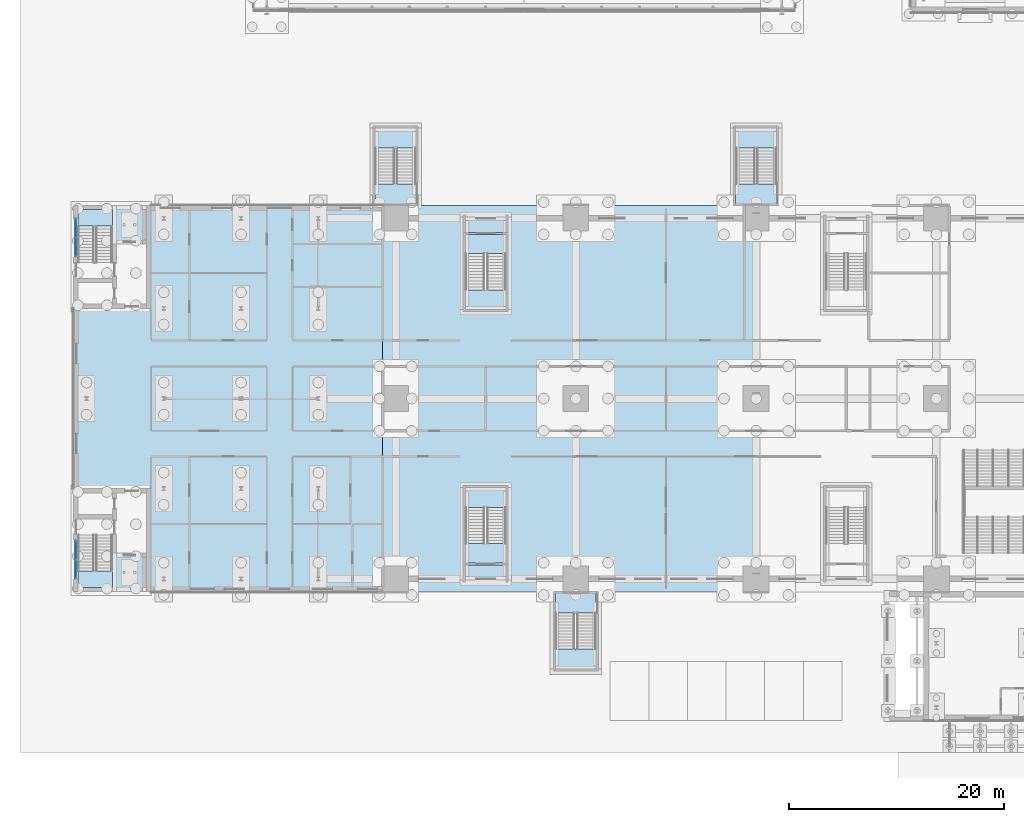
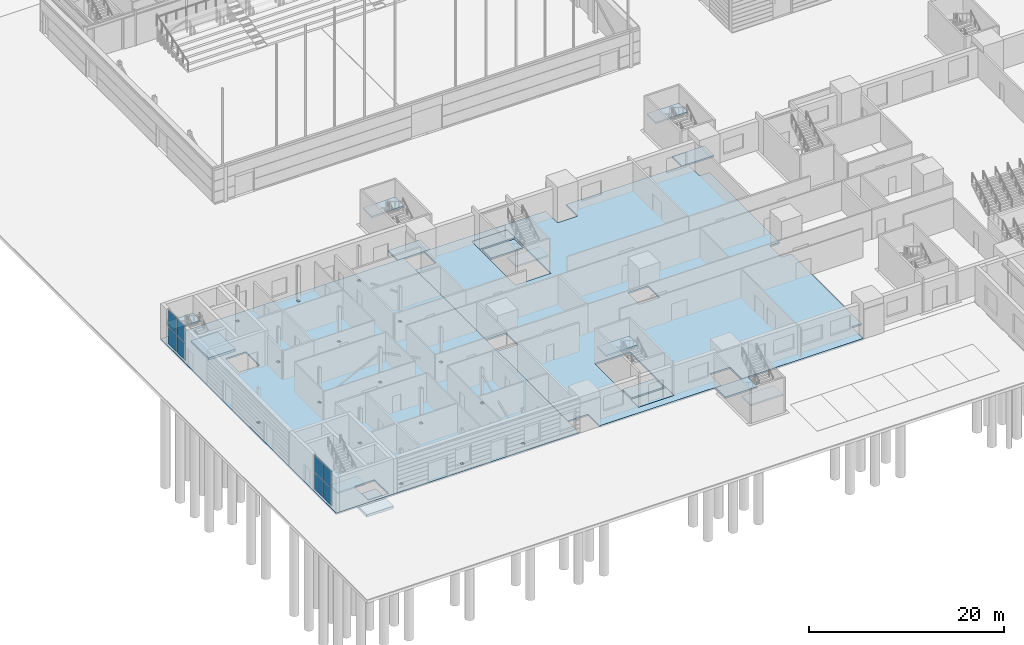
# One storey, part 72 of 139: 18 slabs, 8 plates, 9 elements without a shape of their own.
"""IFC4 building model written with IfcOpenShell, lengths in metres."""

import ifcopenshell
import ifcopenshell.guid

model = None  # the IFC model being written
_history = None  # IfcOwnerHistory: only IFC2X3 demands one
_inside = {}  # id of a spatial element -> (the spatial element, [elements in it])
_under = {}  # id of a project, library or spatial element -> (it, [spatial elements below it])
_declared = {}  # id of a project -> (the project, [libraries it declares])
_typed = {}  # id of a type object -> (the type object, [elements of that type])
_made_of = {}  # id of a material, layer set ... -> (it, [elements and type objects made of it])


def new_model(schema):
    """Start an empty IFC model of exactly this schema.

    Asked for "IFC4X3", IfcOpenShell would pick the latest addendum, in which some entities
    have other attributes; the version numbers below select the first issue.
    IFC2X3 requires an IfcOwnerHistory on every rooted entity: one is made here for all.
    """
    global model, _history
    if schema == "IFC4X3":
        model = ifcopenshell.file(schema_version=(4, 3, 0, 0))
    else:
        model = ifcopenshell.file(schema=schema)
    _inside.clear()
    _under.clear()
    _declared.clear()
    _typed.clear()
    _made_of.clear()
    _history = None
    if model.schema == "IFC2X3":
        org = make("IfcOrganization", Name="unknown")
        user = make(
            "IfcPersonAndOrganization",
            ThePerson=make("IfcPerson", FamilyName="unknown"),
            TheOrganization=org,
        )
        app = make(
            "IfcApplication",
            ApplicationDeveloper=org,
            Version="unknown",
            ApplicationFullName="unknown",
            ApplicationIdentifier="unknown",
        )
        _history = make(
            "IfcOwnerHistory",
            OwningUser=user,
            OwningApplication=app,
            ChangeAction="ADDED",
            CreationDate=0,
        )
    return model


def make(cls, **values):
    """One entity of the class cls with the attributes given. An attribute that is None is left unset."""
    return model.create_entity(
        cls, **{name: value for name, value in values.items() if value is not None}
    )


def rooted(cls, **values):
    """An entity with a GlobalId (a new one), such as an element, a storey or a relation."""
    return make(cls, GlobalId=ifcopenshell.guid.new(), OwnerHistory=_history, **values)


def si_unit(unit_type, name, prefix=None):
    """IfcSIUnit, for example si_unit("LENGTHUNIT", "METRE", prefix="MILLI")."""
    return make("IfcSIUnit", UnitType=unit_type, Prefix=prefix, Name=name)


def assignment(units):
    """IfcUnitAssignment: the units of a project."""
    return None if units is None else make("IfcUnitAssignment", Units=units)


def point(xyz):
    """IfcCartesianPoint."""
    return None if xyz is None else make("IfcCartesianPoint", Coordinates=xyz)


def direction(xyz):
    """IfcDirection."""
    return None if xyz is None else make("IfcDirection", DirectionRatios=xyz)


def frame(location, z_axis=None, x_axis=None):
    """IfcAxis2Placement3D, a coordinate frame: its origin and axes. An axis left out is left unset."""
    return make(
        "IfcAxis2Placement3D",
        Location=point(location),
        Axis=direction(z_axis),
        RefDirection=direction(x_axis),
    )


def frame_2d(location, x_axis=None):
    """IfcAxis2Placement2D, a coordinate frame in the plane: its origin and x axis."""
    return make(
        "IfcAxis2Placement2D", Location=point(location), RefDirection=direction(x_axis)
    )


def origin():
    """The frame at (0, 0, 0) with its axes left unset."""
    return frame((0.0, 0.0, 0.0))


def origin_2d():
    """The frame at (0, 0) in the plane with its x axis left unset."""
    return frame_2d((0.0, 0.0))


def place(relative_to, where):
    """IfcLocalPlacement: puts the frame where relative to a parent placement (None: the world)."""
    return make(
        "IfcLocalPlacement", PlacementRelTo=relative_to, RelativePlacement=where
    )


def context(
    kind, dimensions, precision=None, world=None, true_north=None, identifier=None
):
    """IfcGeometricRepresentationContext, for example the 3D "Model" context."""
    return make(
        "IfcGeometricRepresentationContext",
        ContextIdentifier=identifier,
        ContextType=kind,
        CoordinateSpaceDimension=dimensions,
        Precision=precision,
        WorldCoordinateSystem=world,
        TrueNorth=true_north,
    )


def subcontext(parent, identifier, kind, view, scale=None):
    """IfcGeometricRepresentationSubContext, for example "Body" below "Model"."""
    return make(
        "IfcGeometricRepresentationSubContext",
        ContextIdentifier=identifier,
        ContextType=kind,
        ParentContext=parent,
        TargetScale=scale,
        TargetView=view,
    )


def project(units=None, contexts=None):
    """IfcProject with its units and contexts."""
    return rooted(
        "IfcProject",
        Name="project",
        RepresentationContexts=contexts,
        UnitsInContext=assignment(units),
    )


def spatial(cls, under=None, at=None, **own):
    """A site, building, storey or space (cls), placed at a placement, below another one or the project."""
    s = rooted(cls, ObjectPlacement=at, **own)
    if under is not None:
        _under.setdefault(under.id(), (under, []))[1].append(s)
    return s


def polyline(points):
    """IfcPolyline through the points."""
    return make("IfcPolyline", Points=[point(p) for p in points])


def profile(cls, at=None, kind="AREA", **sizes):
    """A parametric profile (cls). Its sizes go by their IFC names, for example OverallWidth=200.0."""
    return make(cls, ProfileType=kind, Position=at, **sizes)


def rectangle(**sizes):
    """IfcRectangleProfileDef."""
    return profile("IfcRectangleProfileDef", **sizes)


def outline(outer, holes=None, kind="AREA"):
    """IfcArbitraryClosedProfileDef: a profile drawn as a closed curve; with holes, ...WithVoids."""
    if holes is None:
        return make("IfcArbitraryClosedProfileDef", ProfileType=kind, OuterCurve=outer)
    return make(
        "IfcArbitraryProfileDefWithVoids",
        ProfileType=kind,
        OuterCurve=outer,
        InnerCurves=holes,
    )


def extrude(swept, where, along, depth):
    """IfcExtrudedAreaSolid: the profile swept, set in the frame where, extruded along a direction by depth."""
    return make(
        "IfcExtrudedAreaSolid",
        SweptArea=swept,
        Position=where,
        ExtrudedDirection=direction(along),
        Depth=depth,
    )


def shape(context_of_items, identifier, shape_type, items):
    """IfcShapeRepresentation: the items that make up one representation, for example the "Body"."""
    return make(
        "IfcShapeRepresentation",
        ContextOfItems=context_of_items,
        RepresentationIdentifier=identifier,
        RepresentationType=shape_type,
        Items=items,
    )


def material(Name=None, Category=None):
    """IfcMaterial."""
    return make("IfcMaterial", Name=Name, Category=Category)


def layer(
    of_material, thickness, ventilated=None, Name=None, Category=None, Priority=None
):
    """IfcMaterialLayer: one layer of a wall or slab, of a material (None: an air gap)."""
    return make(
        "IfcMaterialLayer",
        Material=of_material,
        LayerThickness=thickness,
        IsVentilated=ventilated,
        Name=Name,
        Category=Category,
        Priority=Priority,
    )


def layer_set(layers, Name=None):
    """IfcMaterialLayerSet."""
    return make("IfcMaterialLayerSet", MaterialLayers=layers, LayerSetName=Name)


def made_of(thing, what):
    """Note that an element or type object is made of a material, layer set ...; save() writes the relation."""
    if what is not None:
        _made_of.setdefault(what.id(), (what, []))[1].append(thing)
    return thing


def type_object(cls, material=None, **own):
    """A type object (cls), such as IfcWallType, which elements share."""
    return made_of(rooted(cls, **own), material)


def element(
    cls,
    number,
    at=None,
    inside=None,
    cuts=None,
    type_object=None,
    material=None,
    context=None,
    identifier="Body",
    shape_type=None,
    held_by="IfcProductDefinitionShape",
    body=None,
    shapes=None,
    **own,
):
    """One element of the class cls, such as IfcWall. Its Tag is "e" and its number.

    at: its placement. inside: the storey or other place that contains it. cuts: it is an
    opening in that element (IfcRelVoidsElement). A single representation is given by context,
    identifier, shape_type and body (its items); several are given by shapes. held_by: the class
    of the entity that holds the representations. save() writes the other relations.
    """
    e = rooted(cls, Tag="e%d" % number, ObjectPlacement=at, **own)
    if body is not None:
        shapes = [shape(context, identifier, shape_type, body)]
    if shapes is not None:
        e.Representation = make(held_by, Representations=shapes)
    if inside is not None:
        _inside.setdefault(inside.id(), (inside, []))[1].append(e)
    if cuts is not None:
        rooted(
            "IfcRelVoidsElement", RelatingBuildingElement=cuts, RelatedOpeningElement=e
        )
    if type_object is not None:
        _typed.setdefault(type_object.id(), (type_object, []))[1].append(e)
    return made_of(e, material)


def aggregate(whole, parts):
    """IfcRelAggregates: a whole, such as a stair, and the parts it consists of."""
    return rooted("IfcRelAggregates", RelatingObject=whole, RelatedObjects=parts)


def save(model, path):
    """Write the relations noted so far, then the file.

    IfcRelAggregates (storeys below a building ...), IfcRelContainedInSpatialStructure (elements
    in a storey), IfcRelDefinesByType, IfcRelAssociatesMaterial and IfcRelDeclares: one each for
    every whole, place, type object, material and project.
    """
    for whole, parts in _under.values():
        aggregate(whole, parts)
    for where, things in _inside.values():
        rooted(
            "IfcRelContainedInSpatialStructure",
            RelatedElements=things,
            RelatingStructure=where,
        )
    for kind, things in _typed.values():
        rooted("IfcRelDefinesByType", RelatedObjects=things, RelatingType=kind)
    for what, things in _made_of.values():
        rooted("IfcRelAssociatesMaterial", RelatedObjects=things, RelatingMaterial=what)
    for by, libraries in _declared.values():
        rooted("IfcRelDeclares", RelatingContext=by, RelatedDefinitions=libraries)
    model.write(path)


model = new_model("IFC4")

# Units and contexts
model_context = context("Model", 3, precision=1e-05, world=origin(), true_north=direction((0.0, 1.0)))
body_context = subcontext(model_context, "Body", "Model", "MODEL_VIEW")
ifc_project = project(units=[si_unit("LENGTHUNIT", "METRE"), si_unit("AREAUNIT", "SQUARE_METRE"), si_unit("VOLUMEUNIT", "CUBIC_METRE"), si_unit("PLANEANGLEUNIT", "RADIAN"), si_unit("MASSUNIT", "GRAM", prefix="KILO")], contexts=[model_context])

# Site, building, storey
site_placement = place(None, origin())
site = spatial("IfcSite", under=ifc_project, at=site_placement, CompositionType="ELEMENT")
building_placement = place(site_placement, origin())
building = spatial("IfcBuilding", under=site, at=building_placement, Name="Verrick Yard Athletic Hall", CompositionType="ELEMENT")
storey_placement = place(building_placement, origin())
storey = spatial("IfcBuildingStorey", under=building, at=storey_placement, Name="L00", CompositionType="ELEMENT", Elevation=0.0)

# Curtain wall, plates
ifc_material_1 = material(Name="Aluminium 6063-T5", Category="aluminium")
curtain_wall_type = type_object("IfcCurtainWallType", Name="Core glazing strip", PredefinedType="NOTDEFINED", material=ifc_material_1)
curtain_wall_1_placement = place(storey_placement, origin())
curtain_wall_1 = element("IfcCurtainWall", 1, at=curtain_wall_1_placement, inside=storey, type_object=curtain_wall_type, Name="CORE-CB1-CW-L00", PredefinedType="NOTDEFINED")
ifc_material_2 = material(Name="Glass IGU low-e", Category="glass")
ifc_layer_1 = layer(ifc_material_2, 0.028076171875)
ifc_layer_set_1 = layer_set([ifc_layer_1], Name="Core glazing panel 28")
plate_type = type_object("IfcPlateType", Name="Core glazing panel 28", PredefinedType="CURTAIN_PANEL", material=ifc_layer_set_1)
plate_1_placement = place(storey_placement, frame((10.199951171875, 20.114990234375, 0.06005859375), z_axis=(0.0, 0.0, 1.0), x_axis=(0.0, 1.0, 0.0)))
plate_1 = element("IfcPlate", 2, at=plate_1_placement, type_object=plate_type, Name="CW5 panel 1.1", PredefinedType="CURTAIN_PANEL", context=body_context, shape_type="SweptSolid", body=[
    extrude(rectangle(XDim=1.7099609375, YDim=0.028076171875, at=origin_2d()), origin(), (0.0, 0.0, 1.0), 2.110107421875),
])
plate_2_placement = place(storey_placement, frame((10.199951171875, 20.114990234375, 2.22998046875), z_axis=(0.0, 0.0, 1.0), x_axis=(0.0, 1.0, 0.0)))
plate_2 = element("IfcPlate", 3, at=plate_2_placement, type_object=plate_type, Name="CW5 panel 1.2", PredefinedType="CURTAIN_PANEL", context=body_context, shape_type="SweptSolid", body=[
    extrude(rectangle(XDim=1.7099609375, YDim=0.028076171875, at=origin_2d()), origin(), (0.0, 0.0, 1.0), 2.110107421875),
])
plate_3_placement = place(storey_placement, frame((10.199951171875, 21.885009765625, 0.06005859375), z_axis=(0.0, 0.0, 1.0), x_axis=(0.0, 1.0, 0.0)))
plate_3 = element("IfcPlate", 4, at=plate_3_placement, type_object=plate_type, Name="CW5 panel 2.1", PredefinedType="CURTAIN_PANEL", context=body_context, shape_type="SweptSolid", body=[
    extrude(rectangle(XDim=1.7099609375, YDim=0.028076171875, at=origin_2d()), origin(), (0.0, 0.0, 1.0), 2.110107421875),
])
plate_4_placement = place(storey_placement, frame((10.199951171875, 21.885009765625, 2.22998046875), z_axis=(0.0, 0.0, 1.0), x_axis=(0.0, 1.0, 0.0)))
plate_4 = element("IfcPlate", 5, at=plate_4_placement, type_object=plate_type, Name="CW5 panel 2.2", PredefinedType="CURTAIN_PANEL", context=body_context, shape_type="SweptSolid", body=[
    extrude(rectangle(XDim=1.7099609375, YDim=0.028076171875, at=origin_2d()), origin(), (0.0, 0.0, 1.0), 2.110107421875),
])
aggregate(curtain_wall_1, [plate_1, plate_2, plate_3, plate_4])

curtain_wall_2_placement = place(storey_placement, origin())
curtain_wall_2 = element("IfcCurtainWall", 6, at=curtain_wall_2_placement, inside=storey, type_object=curtain_wall_type, Name="CORE-CB2-CW-L00", PredefinedType="NOTDEFINED")
plate_5_placement = place(storey_placement, frame((10.199951171875, 50.114990234375, 0.06005859375), z_axis=(0.0, 0.0, 1.0), x_axis=(0.0, 1.0, 0.0)))
plate_5 = element("IfcPlate", 7, at=plate_5_placement, type_object=plate_type, Name="CW5 panel 1.1", PredefinedType="CURTAIN_PANEL", context=body_context, shape_type="SweptSolid", body=[
    extrude(rectangle(XDim=1.7099609375, YDim=0.028076171875, at=origin_2d()), origin(), (0.0, 0.0, 1.0), 2.110107421875),
])
plate_6_placement = place(storey_placement, frame((10.199951171875, 50.114990234375, 2.22998046875), z_axis=(0.0, 0.0, 1.0), x_axis=(0.0, 1.0, 0.0)))
plate_6 = element("IfcPlate", 8, at=plate_6_placement, type_object=plate_type, Name="CW5 panel 1.2", PredefinedType="CURTAIN_PANEL", context=body_context, shape_type="SweptSolid", body=[
    extrude(rectangle(XDim=1.7099609375, YDim=0.028076171875, at=origin_2d()), origin(), (0.0, 0.0, 1.0), 2.110107421875),
])
plate_7_placement = place(storey_placement, frame((10.199951171875, 51.885009765625, 0.06005859375), z_axis=(0.0, 0.0, 1.0), x_axis=(0.0, 1.0, 0.0)))
plate_7 = element("IfcPlate", 9, at=plate_7_placement, type_object=plate_type, Name="CW5 panel 2.1", PredefinedType="CURTAIN_PANEL", context=body_context, shape_type="SweptSolid", body=[
    extrude(rectangle(XDim=1.7099609375, YDim=0.028076171875, at=origin_2d()), origin(), (0.0, 0.0, 1.0), 2.110107421875),
])
plate_8_placement = place(storey_placement, frame((10.199951171875, 51.885009765625, 2.22998046875), z_axis=(0.0, 0.0, 1.0), x_axis=(0.0, 1.0, 0.0)))
plate_8 = element("IfcPlate", 10, at=plate_8_placement, type_object=plate_type, Name="CW5 panel 2.2", PredefinedType="CURTAIN_PANEL", context=body_context, shape_type="SweptSolid", body=[
    extrude(rectangle(XDim=1.7099609375, YDim=0.028076171875, at=origin_2d()), origin(), (0.0, 0.0, 1.0), 2.110107421875),
])
aggregate(curtain_wall_2, [plate_5, plate_6, plate_7, plate_8])

# Slabs
ifc_material_3 = material(Name="Concrete 35 MPa", Category="concrete")
ifc_layer_2 = layer(ifc_material_3, 0.199951171875)
ifc_layer_set_2 = layer_set([ifc_layer_2], Name="Core ground slab 200")
slab_type_1 = type_object("IfcSlabType", Name="Core ground slab 200", PredefinedType="BASESLAB", material=ifc_layer_set_2)
slab_1_placement = place(storey_placement, frame((0.0, 0.0, -0.199951171875)))
element("IfcSlab", 11, at=slab_1_placement, inside=storey, type_object=slab_type_1, Name="CORE-DT-N1-NL-L00", PredefinedType="BASESLAB", context=body_context, shape_type="SweptSolid", body=[
    extrude(outline(polyline([(41.89990234375, 54.0), (41.89990234375, 56.0), (38.10009765625, 56.0), (38.10009765625, 54.0), (41.89990234375, 54.0)])), origin(), (0.0, 0.0, 1.0), 0.199951171875),
])
slab_2_placement = place(storey_placement, frame((0.0, 0.0, -0.199951171875)))
element("IfcSlab", 12, at=slab_2_placement, inside=storey, type_object=slab_type_1, Name="CORE-DT-N3-NL-L00", PredefinedType="BASESLAB", context=body_context, shape_type="SweptSolid", body=[
    extrude(outline(polyline([(75.5, 54.0), (75.5, 56.0), (71.699951171875, 56.0), (71.699951171875, 54.0), (75.5, 54.0)])), origin(), (0.0, 0.0, 1.0), 0.199951171875),
])
slab_3_placement = place(storey_placement, frame((0.0, 0.0, -0.199951171875)))
element("IfcSlab", 13, at=slab_3_placement, inside=storey, type_object=slab_type_1, Name="CORE-DT-S1-NL-L00", PredefinedType="BASESLAB", context=body_context, shape_type="SweptSolid", body=[
    extrude(outline(polyline([(54.89990234375, 18.0), (54.89990234375, 16.0), (58.699951171875, 16.0), (58.699951171875, 18.0), (54.89990234375, 18.0)])), origin(), (0.0, 0.0, 1.0), 0.199951171875),
])
slab_4_placement = place(storey_placement, frame((0.0, 0.0, -0.199951171875)))
element("IfcSlab", 14, at=slab_4_placement, inside=storey, type_object=slab_type_1, Name="CORE-PS-N1-NL-L00", PredefinedType="BASESLAB", context=body_context, shape_type="SweptSolid", body=[
    extrude(outline(polyline([(46.5, 51.300048828125), (46.5, 49.5), (50.300048828125, 49.5), (50.300048828125, 51.300048828125), (46.5, 51.300048828125)])), origin(), (0.0, 0.0, 1.0), 0.199951171875),
])
slab_5_placement = place(storey_placement, frame((0.0, 0.0, -0.199951171875)))
element("IfcSlab", 15, at=slab_5_placement, inside=storey, type_object=slab_type_1, Name="CORE-PS-N1-VEST", PredefinedType="BASESLAB", context=body_context, shape_type="SweptSolid", body=[
    extrude(outline(polyline([(46.300048828125, 51.5), (50.5, 51.5), (50.5, 53.10009765625), (46.300048828125, 53.10009765625), (46.300048828125, 51.5)])), origin(), (0.0, 0.0, 1.0), 0.199951171875),
])
slab_6_placement = place(storey_placement, frame((0.0, 0.0, -0.199951171875)))
element("IfcSlab", 16, at=slab_6_placement, inside=storey, type_object=slab_type_1, Name="CORE-PS-S1-NL-L00", PredefinedType="BASESLAB", context=body_context, shape_type="SweptSolid", body=[
    extrude(outline(polyline([(50.300048828125, 20.699951171875), (50.300048828125, 22.5), (46.5, 22.5), (46.5, 20.699951171875), (50.300048828125, 20.699951171875)])), origin(), (0.0, 0.0, 1.0), 0.199951171875),
])
slab_7_placement = place(storey_placement, frame((0.0, 0.0, -0.199951171875)))
element("IfcSlab", 17, at=slab_7_placement, inside=storey, type_object=slab_type_1, Name="CORE-PS-S1-VEST", PredefinedType="BASESLAB", context=body_context, shape_type="SweptSolid", body=[
    extrude(outline(polyline([(46.300048828125, 18.89990234375), (50.5, 18.89990234375), (50.5, 20.5), (46.300048828125, 20.5), (46.300048828125, 18.89990234375)])), origin(), (0.0, 0.0, 1.0), 0.199951171875),
])
ifc_layer_3 = layer(ifc_material_3, 0.300048828125)
ifc_layer_set_3 = layer_set([ifc_layer_3], Name="Lift pit slab 300")
slab_type_2 = type_object("IfcSlabType", Name="Lift pit slab 300", PredefinedType="BASESLAB", material=ifc_layer_set_3)
slab_8_placement = place(storey_placement, frame((0.0, 0.0, -1.800048828125)))
element("IfcSlab", 18, at=slab_8_placement, inside=storey, type_object=slab_type_2, Name="CORE-LF-CB1-PIT", PredefinedType="BASESLAB", context=body_context, shape_type="SweptSolid", body=[
    extrude(outline(polyline([(13.60009765625, 18.0), (16.800048828125, 18.0), (16.800048828125, 21.60009765625), (13.60009765625, 21.60009765625), (13.60009765625, 18.0)])), origin(), (0.0, 0.0, 1.0), 0.300048828125),
])
slab_9_placement = place(storey_placement, frame((0.0, 0.0, -1.800048828125)))
element("IfcSlab", 19, at=slab_9_placement, inside=storey, type_object=slab_type_2, Name="CORE-LF-CB2-PIT", PredefinedType="BASESLAB", context=body_context, shape_type="SweptSolid", body=[
    extrude(outline(polyline([(13.60009765625, 50.39990234375), (16.800048828125, 50.39990234375), (16.800048828125, 54.0), (13.60009765625, 54.0), (13.60009765625, 50.39990234375)])), origin(), (0.0, 0.0, 1.0), 0.300048828125),
])
ifc_layer_4 = layer(ifc_material_3, 0.199951171875)
ifc_layer_set_4 = layer_set([ifc_layer_4], Name="STR Ground slab SL1")
slab_type_3 = type_object("IfcSlabType", Name="STR Ground slab SL1", PredefinedType="BASESLAB", material=ifc_layer_set_4)
slab_10_placement = place(storey_placement, frame((0.0, 0.0, -0.199951171875)))
element("IfcSlab", 20, at=slab_10_placement, inside=storey, type_object=slab_type_3, Name="STR-SL-G-plinth-Z1-1", PredefinedType="BASESLAB", context=body_context, shape_type="SweptSolid", body=[
    extrude(outline(polyline([(73.574951171875, 20.39990234375), (73.574951171875, 34.800048828125), (72.39990234375, 34.800048828125), (72.39990234375, 37.199951171875), (73.574951171875, 37.199951171875), (73.574951171875, 51.60009765625), (72.39990234375, 51.60009765625), (72.39990234375, 54.0), (58.0, 54.0), (58.0, 51.60009765625), (55.60009765625, 51.60009765625), (55.60009765625, 54.0), (41.199951171875, 54.0), (41.199951171875, 51.60009765625), (38.800048828125, 51.60009765625), (38.800048828125, 37.199951171875), (41.199951171875, 37.199951171875), (41.199951171875, 34.800048828125), (38.800048828125, 34.800048828125), (38.800048828125, 20.39990234375), (41.199951171875, 20.39990234375), (41.199951171875, 18.0), (55.60009765625, 18.0), (55.60009765625, 20.39990234375), (58.0, 20.39990234375), (58.0, 18.0), (72.39990234375, 18.0), (72.39990234375, 20.39990234375), (73.574951171875, 20.39990234375)]), holes=[polyline([(46.300048828125, 18.89990234375), (46.300048828125, 27.89990234375), (50.5, 27.89990234375), (50.5, 18.89990234375), (46.300048828125, 18.89990234375)]), polyline([(55.60009765625, 34.800048828125), (55.60009765625, 37.199951171875), (58.0, 37.199951171875), (58.0, 34.800048828125), (55.60009765625, 34.800048828125)]), polyline([(46.300048828125, 44.10009765625), (46.300048828125, 53.10009765625), (50.5, 53.10009765625), (50.5, 44.10009765625), (46.300048828125, 44.10009765625)])]), origin(), (0.0, 0.0, 1.0), 0.199951171875),
])
slab_11_placement = place(storey_placement, frame((0.0, 0.0, -0.199951171875)))
element("IfcSlab", 21, at=slab_11_placement, inside=storey, type_object=slab_type_3, Name="STR-SL-G-wing-1", PredefinedType="BASESLAB", context=body_context, shape_type="SweptSolid", body=[
    extrude(outline(polyline([(38.800048828125, 18.0), (38.800048828125, 20.39990234375), (38.800048828125, 34.800048828125), (38.800048828125, 37.199951171875), (38.800048828125, 51.60009765625), (38.800048828125, 54.0), (10.0, 54.0), (10.0, 18.0), (38.800048828125, 18.0)]), holes=[polyline([(18.24560546875, 19.03857421875), (18.24560546875, 19.361572265625), (18.554443359375, 19.361572265625), (18.554443359375, 19.03857421875), (18.24560546875, 19.03857421875)]), polyline([(25.445556640625, 19.361572265625), (25.75439453125, 19.361572265625), (25.75439453125, 19.03857421875), (25.445556640625, 19.03857421875), (25.445556640625, 19.361572265625)]), polyline([(32.6455078125, 19.03857421875), (32.6455078125, 19.361572265625), (32.95458984375, 19.361572265625), (32.95458984375, 19.03857421875), (32.6455078125, 19.03857421875)]), polyline([(14.0, 18.39990234375), (14.0, 21.199951171875), (16.39990234375, 21.199951171875), (16.39990234375, 18.39990234375), (14.0, 18.39990234375)]), polyline([(18.24560546875, 27.761474609375), (18.554443359375, 27.761474609375), (18.554443359375, 27.4384765625), (18.24560546875, 27.4384765625), (18.24560546875, 27.761474609375)]), polyline([(25.445556640625, 27.761474609375), (25.75439453125, 27.761474609375), (25.75439453125, 27.4384765625), (25.445556640625, 27.4384765625), (25.445556640625, 27.761474609375)]), polyline([(32.6455078125, 27.4384765625), (32.6455078125, 27.761474609375), (32.95458984375, 27.761474609375), (32.95458984375, 27.4384765625), (32.6455078125, 27.4384765625)]), polyline([(11.04541015625, 35.83837890625), (11.04541015625, 36.16162109375), (11.3544921875, 36.16162109375), (11.3544921875, 35.83837890625), (11.04541015625, 35.83837890625)]), polyline([(32.6455078125, 35.83837890625), (32.6455078125, 36.16162109375), (32.95458984375, 36.16162109375), (32.95458984375, 35.83837890625), (32.6455078125, 35.83837890625)]), polyline([(25.445556640625, 36.16162109375), (25.75439453125, 36.16162109375), (25.75439453125, 35.83837890625), (25.445556640625, 35.83837890625), (25.445556640625, 36.16162109375)]), polyline([(18.24560546875, 36.16162109375), (18.554443359375, 36.16162109375), (18.554443359375, 35.83837890625), (18.24560546875, 35.83837890625), (18.24560546875, 36.16162109375)]), polyline([(32.6455078125, 44.238525390625), (32.6455078125, 44.5615234375), (32.95458984375, 44.5615234375), (32.95458984375, 44.238525390625), (32.6455078125, 44.238525390625)]), polyline([(25.445556640625, 44.5615234375), (25.75439453125, 44.5615234375), (25.75439453125, 44.238525390625), (25.445556640625, 44.238525390625), (25.445556640625, 44.5615234375)]), polyline([(18.24560546875, 44.5615234375), (18.554443359375, 44.5615234375), (18.554443359375, 44.238525390625), (18.24560546875, 44.238525390625), (18.24560546875, 44.5615234375)]), polyline([(14.0, 44.800048828125), (14.0, 47.60009765625), (16.39990234375, 47.60009765625), (16.39990234375, 44.800048828125), (14.0, 44.800048828125)]), polyline([(32.6455078125, 52.638427734375), (32.6455078125, 52.96142578125), (32.95458984375, 52.96142578125), (32.95458984375, 52.638427734375), (32.6455078125, 52.638427734375)]), polyline([(25.445556640625, 52.96142578125), (25.75439453125, 52.96142578125), (25.75439453125, 52.638427734375), (25.445556640625, 52.638427734375), (25.445556640625, 52.96142578125)]), polyline([(18.24560546875, 52.638427734375), (18.24560546875, 52.96142578125), (18.554443359375, 52.96142578125), (18.554443359375, 52.638427734375), (18.24560546875, 52.638427734375)])]), origin(), (0.0, 0.0, 1.0), 0.199951171875),
])

# Stair, slab
stair_type_1 = type_object("IfcStairType", Name="Stair ST1 1500 wide 26 risers", PredefinedType="HALF_TURN_STAIR", material=ifc_material_3)
stair_1_placement = place(storey_placement, origin())
stair_1 = element("IfcStair", 22, at=stair_1_placement, inside=storey, type_object=stair_type_1, Name="Wing south-west stair L00", PredefinedType="HALF_TURN_STAIR")
ifc_layer_5 = layer(ifc_material_3, 0.199951171875)
ifc_layer_set_5 = layer_set([ifc_layer_5], Name="Stair landing slab 200")
slab_type_4 = type_object("IfcSlabType", Name="Stair landing slab 200", PredefinedType="LANDING", material=ifc_layer_set_5)
slab_12_placement = place(storey_placement, frame((0.0, 0.0, 2.0)))
slab_12 = element("IfcSlab", 23, at=slab_12_placement, type_object=slab_type_4, Name="ST1 landing 1", PredefinedType="LANDING", context=body_context, shape_type="SweptSolid", body=[
    extrude(outline(polyline([(10.39990234375, 19.93994140625), (10.39990234375, 18.39990234375), (13.60009765625, 18.39990234375), (13.60009765625, 19.93994140625), (10.39990234375, 19.93994140625)])), origin(), (0.0, 0.0, 1.0), 0.199951171875),
])
aggregate(stair_1, [slab_12])

stair_2_placement = place(storey_placement, origin())
stair_2 = element("IfcStair", 24, at=stair_2_placement, inside=storey, type_object=stair_type_1, Name="Wing north-west stair L00", PredefinedType="HALF_TURN_STAIR")
slab_13_placement = place(storey_placement, frame((0.0, 0.0, 2.0)))
slab_13 = element("IfcSlab", 25, at=slab_13_placement, type_object=slab_type_4, Name="ST1 landing 1", PredefinedType="LANDING", context=body_context, shape_type="SweptSolid", body=[
    extrude(outline(polyline([(13.60009765625, 52.06005859375), (13.60009765625, 53.60009765625), (10.39990234375, 53.60009765625), (10.39990234375, 52.06005859375), (13.60009765625, 52.06005859375)])), origin(), (0.0, 0.0, 1.0), 0.199951171875),
])
aggregate(stair_2, [slab_13])

stair_type_2 = type_object("IfcStairType", Name="Stair ST3 1800 wide 26 risers", PredefinedType="HALF_TURN_STAIR", material=ifc_material_3)
stair_3_placement = place(storey_placement, origin())
stair_3 = element("IfcStair", 26, at=stair_3_placement, inside=storey, type_object=stair_type_2, Name="North deck escape 1 stair L00", PredefinedType="HALF_TURN_STAIR")
slab_14_placement = place(storey_placement, frame((0.0, 0.0, 2.0)))
slab_14 = element("IfcSlab", 27, at=slab_14_placement, type_object=slab_type_4, Name="ST3 landing 1", PredefinedType="LANDING", context=body_context, shape_type="SweptSolid", body=[
    extrude(outline(polyline([(41.89990234375, 59.360107421875), (41.89990234375, 61.199951171875), (38.10009765625, 61.199951171875), (38.10009765625, 59.360107421875), (41.89990234375, 59.360107421875)])), origin(), (0.0, 0.0, 1.0), 0.199951171875),
])
aggregate(stair_3, [slab_14])

stair_4_placement = place(storey_placement, origin())
stair_4 = element("IfcStair", 28, at=stair_4_placement, inside=storey, type_object=stair_type_2, Name="North deck escape 3 stair L00", PredefinedType="HALF_TURN_STAIR")
slab_15_placement = place(storey_placement, frame((0.0, 0.0, 2.0)))
slab_15 = element("IfcSlab", 29, at=slab_15_placement, type_object=slab_type_4, Name="ST3 landing 1", PredefinedType="LANDING", context=body_context, shape_type="SweptSolid", body=[
    extrude(outline(polyline([(75.5, 59.360107421875), (75.5, 61.199951171875), (71.699951171875, 61.199951171875), (71.699951171875, 59.360107421875), (75.5, 59.360107421875)])), origin(), (0.0, 0.0, 1.0), 0.199951171875),
])
aggregate(stair_4, [slab_15])

stair_5_placement = place(storey_placement, origin())
stair_5 = element("IfcStair", 30, at=stair_5_placement, inside=storey, type_object=stair_type_2, Name="South deck escape 1 stair L00", PredefinedType="HALF_TURN_STAIR")
slab_16_placement = place(storey_placement, frame((0.0, 0.0, 2.0)))
slab_16 = element("IfcSlab", 31, at=slab_16_placement, type_object=slab_type_4, Name="ST3 landing 1", PredefinedType="LANDING", context=body_context, shape_type="SweptSolid", body=[
    extrude(outline(polyline([(54.89990234375, 12.639892578125), (54.89990234375, 10.800048828125), (58.699951171875, 10.800048828125), (58.699951171875, 12.639892578125), (54.89990234375, 12.639892578125)])), origin(), (0.0, 0.0, 1.0), 0.199951171875),
])
aggregate(stair_5, [slab_16])

stair_6_placement = place(storey_placement, origin())
stair_6 = element("IfcStair", 32, at=stair_6_placement, inside=storey, type_object=stair_type_2, Name="North plinth exit 1 stair L00", PredefinedType="HALF_TURN_STAIR")
slab_17_placement = place(storey_placement, frame((0.0, 0.0, 2.0)))
slab_17 = element("IfcSlab", 33, at=slab_17_placement, type_object=slab_type_4, Name="ST3 landing 1", PredefinedType="LANDING", context=body_context, shape_type="SweptSolid", body=[
    extrude(outline(polyline([(46.5, 46.139892578125), (46.5, 44.300048828125), (50.300048828125, 44.300048828125), (50.300048828125, 46.139892578125), (46.5, 46.139892578125)])), origin(), (0.0, 0.0, 1.0), 0.199951171875),
])
aggregate(stair_6, [slab_17])

stair_7_placement = place(storey_placement, origin())
stair_7 = element("IfcStair", 34, at=stair_7_placement, inside=storey, type_object=stair_type_2, Name="South plinth exit 1 stair L00", PredefinedType="HALF_TURN_STAIR")
slab_18_placement = place(storey_placement, frame((0.0, 0.0, 2.0)))
slab_18 = element("IfcSlab", 35, at=slab_18_placement, type_object=slab_type_4, Name="ST3 landing 1", PredefinedType="LANDING", context=body_context, shape_type="SweptSolid", body=[
    extrude(outline(polyline([(50.300048828125, 25.860107421875), (50.300048828125, 27.699951171875), (46.5, 27.699951171875), (46.5, 25.860107421875), (50.300048828125, 25.860107421875)])), origin(), (0.0, 0.0, 1.0), 0.199951171875),
])
aggregate(stair_7, [slab_18])

save(model, "model.ifc")
